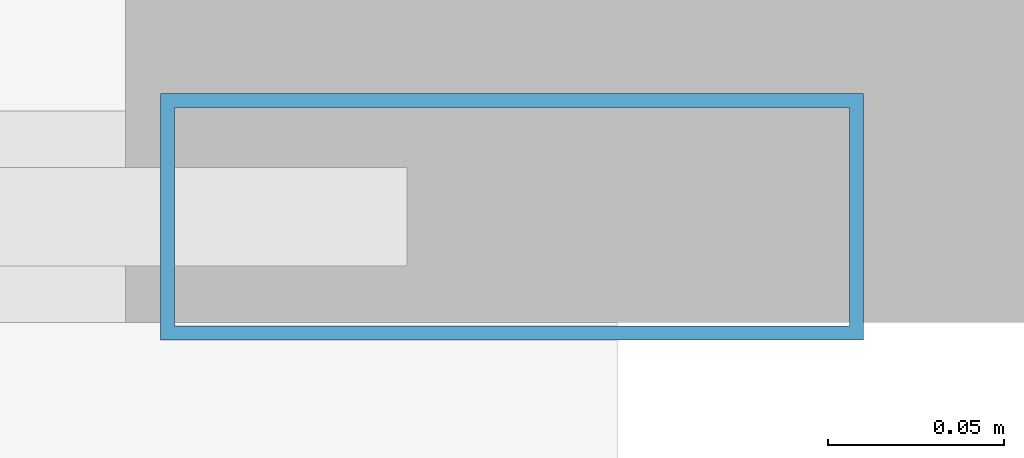
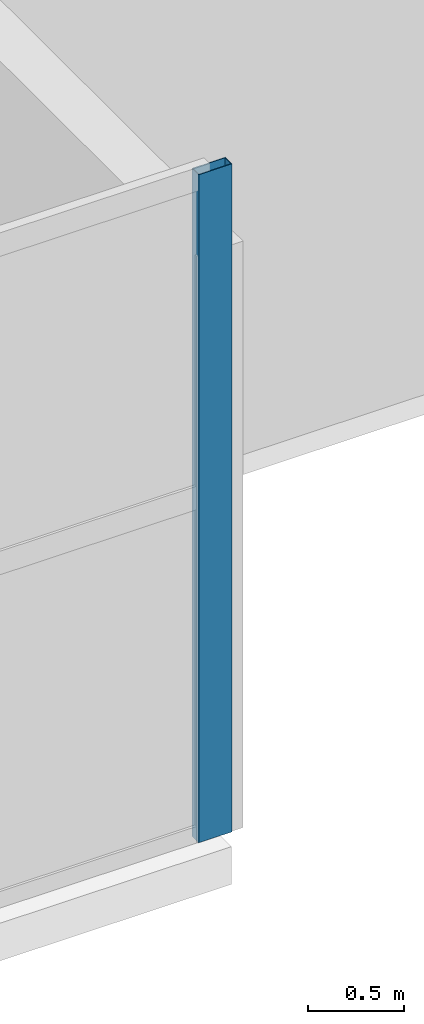
# One storey, part 13 of 26: 1 member, 1 element without a shape of its own.
"""IFC4 building model written with IfcOpenShell, lengths in metres."""

from ifc_helpers import new_model, si_unit, direction, frame, origin, origin_2d, place, context, subcontext, project, spatial, hollow_rectangle, extrude, material, layer, layer_set, material_profile, profile_set, type_object, element, aggregate, save


model = new_model("IFC4")

# Units and contexts
model_context = context("Model", 3, precision=1e-05, world=origin(), true_north=direction((0.0, 1.0)))
body_context = subcontext(model_context, "Body", "Model", "MODEL_VIEW")
ifc_project = project(units=[si_unit("LENGTHUNIT", "METRE"), si_unit("AREAUNIT", "SQUARE_METRE"), si_unit("VOLUMEUNIT", "CUBIC_METRE"), si_unit("PLANEANGLEUNIT", "RADIAN"), si_unit("MASSUNIT", "GRAM", prefix="KILO")], contexts=[model_context])

# Site, building, storey
site_placement = place(None, origin())
site = spatial("IfcSite", under=ifc_project, at=site_placement, CompositionType="ELEMENT")
building_placement = place(site_placement, origin())
building = spatial("IfcBuilding", under=site, at=building_placement, Name="Calvorn Quay Hotel", CompositionType="ELEMENT")
storey_placement = place(building_placement, frame((0.0, 0.0, 144.0)))
storey = spatial("IfcBuildingStorey", under=building, at=storey_placement, Name="L35", CompositionType="ELEMENT", Elevation=144.0)

# Curtain wall, member
ifc_material_1 = material(Name="Pale Anodised Aluminium and Low-E Glass", Category="aluminium")
ifc_layer = layer(ifc_material_1, 0.219970703125)
ifc_layer_set = layer_set([ifc_layer], Name="CW-SYS-Z2")
curtain_wall_type = type_object("IfcCurtainWallType", Name="CW-SYS-Z2", PredefinedType="NOTDEFINED", material=ifc_layer_set)
curtain_wall_placement = place(storey_placement, origin())
curtain_wall = element("IfcCurtainWall", 1, at=curtain_wall_placement, inside=storey, type_object=curtain_wall_type, Name="Tower South Waterfront Curtain Wall (L35)", PredefinedType="NOTDEFINED")
ifc_material_2 = material(Name="Pale Anodised Aluminium 6063-T6", Category="aluminium")
ifc_material_profile = material_profile(ifc_material_2, hollow_rectangle(XDim=0.070068359375, YDim=0.199951171875, WallThickness=0.00390625, at=origin_2d()), Name="ALU-M200x70x4")
ifc_profile_set = profile_set([ifc_material_profile], Name="Pale Anodised Aluminium 6063-T6")
member_type = type_object("IfcMemberType", Name="CW-SYS-Z2-MUL", PredefinedType="MULLION", material=ifc_profile_set)
member_placement = place(storey_placement, frame((55.969970703125, 2.550048828125, 0.0), z_axis=(0.0, 0.0, 1.0), x_axis=(0.0, 1.0, 0.0)))
member = element("IfcMember", 2, at=member_placement, type_object=member_type, Name="CW-L35-S mullion 6", PredefinedType="MULLION", context=body_context, shape_type="SweptSolid", body=[
    extrude(hollow_rectangle(XDim=0.070068359375, YDim=0.199951171875, WallThickness=0.00390625, at=origin_2d()), origin(), (0.0, 0.0, 1.0), 4.260009765625),
])
aggregate(curtain_wall, [member])

save(model, "model.ifc")
